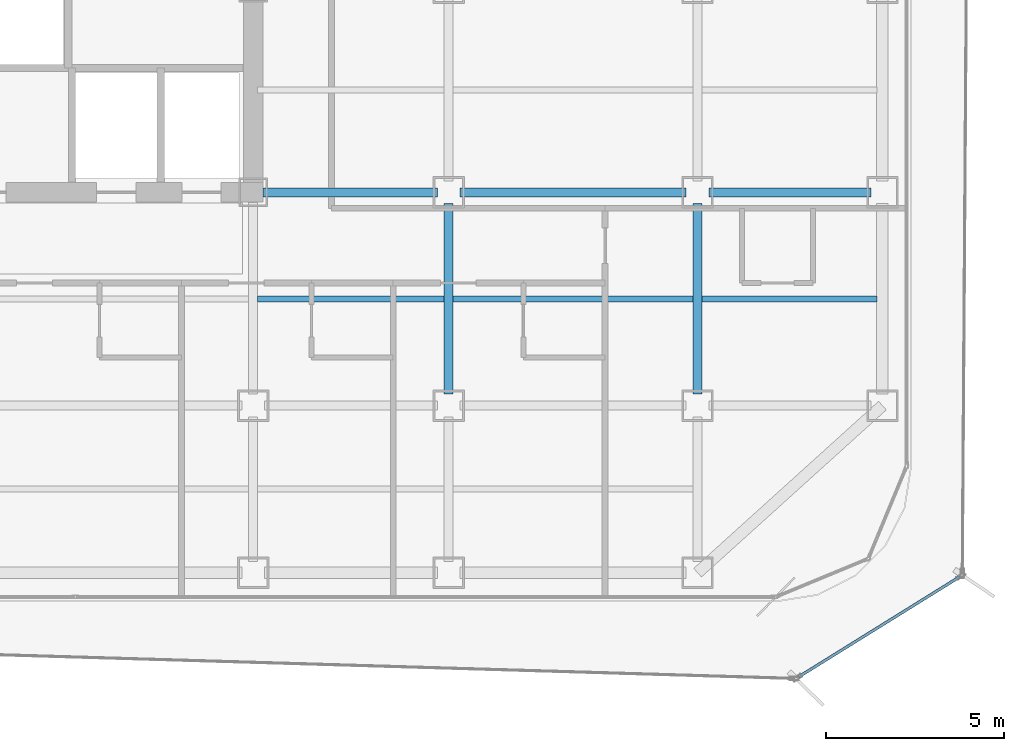
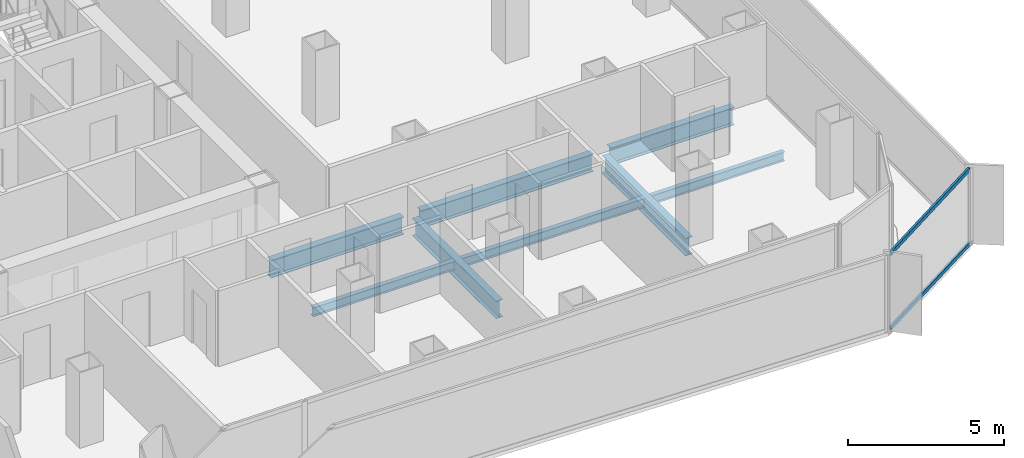
# One storey, part 7 of 21: 8 beams, 2 members, 1 element without a shape of its own.
"""IFC4 building model written with IfcOpenShell, lengths in metres."""

from ifc_helpers import new_model, si_unit, direction, frame, origin, origin_2d, place, context, subcontext, project, spatial, hollow_rectangle, i_section, extrude, source, transform, mapped, material, layer, layer_set, material_profile, profile_set, type_object, element, aggregate, save


model = new_model("IFC4")

# Units and contexts
model_context = context("Model", 3, precision=1e-05, world=origin(), true_north=direction((0.0, 1.0)))
body_context = subcontext(model_context, "Body", "Model", "MODEL_VIEW")
ifc_project = project(units=[si_unit("LENGTHUNIT", "METRE"), si_unit("AREAUNIT", "SQUARE_METRE"), si_unit("VOLUMEUNIT", "CUBIC_METRE"), si_unit("PLANEANGLEUNIT", "RADIAN"), si_unit("MASSUNIT", "GRAM", prefix="KILO")], contexts=[model_context])

# Site, building, storey
site_placement = place(None, origin())
site = spatial("IfcSite", under=ifc_project, at=site_placement, CompositionType="ELEMENT")
building_placement = place(site_placement, origin())
building = spatial("IfcBuilding", under=site, at=building_placement, Name="Kolveth Station Tower", CompositionType="ELEMENT")
storey_placement = place(building_placement, frame((0.0, 0.0, 115.10009765625)))
storey = spatial("IfcBuildingStorey", under=building, at=storey_placement, Name="L31", CompositionType="ELEMENT", Elevation=115.10009765625)

# Beams
ifc_material_1 = material(Name="Steel S355", Category="steel")
ifc_material_profile_1 = material_profile(ifc_material_1, i_section(OverallWidth=0.25390625, OverallDepth=0.68798828125, WebThickness=0.01318359375, FlangeThickness=0.02099609375, at=origin_2d()), Name="W690x152")
ifc_profile_set_1 = profile_set([ifc_material_profile_1], Name="Steel S355")
beam_type_1 = type_object("IfcBeamType", Name="Beam_B4", PredefinedType="BEAM", material=ifc_profile_set_1)
shared_shape_1 = source(origin(), body_context, "Body", "SweptSolid", [
    extrude(i_section(OverallWidth=0.25390625, OverallDepth=0.68798828125, WebThickness=0.01318359375, FlangeThickness=0.02099609375, at=origin_2d()), origin(), (0.0, 0.0, 1.0), 4.559814453125),
])
beam_1_placement = place(storey_placement, frame((41.320068359375, 11.5, -0.593994140625), z_axis=(1.0, 0.0, 0.0), x_axis=(0.0, 1.0, 0.0)))
element("IfcBeam", 1, at=beam_1_placement, inside=storey, type_object=beam_type_1, Name="L31 Primary Girder BM-L31-GY115-7", PredefinedType="BEAM", context=body_context, shape_type="MappedRepresentation", body=[
    mapped(shared_shape_1, transform((0.0, 0.0, 0.0), x_axis=(1.0, 0.0, 0.0), y_axis=(0.0, 1.0, 0.0), z_axis=(0.0, 0.0, 1.0), scale=1.0)),
])
shared_shape_2 = source(origin(), body_context, "Body", "SweptSolid", [
    extrude(i_section(OverallWidth=0.25390625, OverallDepth=0.68798828125, WebThickness=0.01318359375, FlangeThickness=0.02099609375, at=origin_2d()), origin(), (0.0, 0.0, 1.0), 6.35986328125),
])
beam_2_placement = place(storey_placement, frame((34.320068359375, 11.5, -0.593994140625), z_axis=(1.0, 0.0, 0.0), x_axis=(0.0, 1.0, 0.0)))
element("IfcBeam", 2, at=beam_2_placement, inside=storey, type_object=beam_type_1, Name="L31 Primary Girder BM-L31-GY115-6", PredefinedType="BEAM", context=body_context, shape_type="MappedRepresentation", body=[
    mapped(shared_shape_2, transform((0.0, 0.0, 0.0), x_axis=(1.0, 0.0, 0.0), y_axis=(0.0, 1.0, 0.0), z_axis=(0.0, 0.0, 1.0), scale=1.0)),
])
shared_shape_3 = source(origin(), body_context, "Body", "SweptSolid", [
    extrude(i_section(OverallWidth=0.25390625, OverallDepth=0.68798828125, WebThickness=0.01318359375, FlangeThickness=0.02099609375, at=origin_2d()), origin(), (0.0, 0.0, 1.0), 4.89990234375),
])
beam_3_placement = place(storey_placement, frame((28.780029296875, 11.5, -0.593994140625), z_axis=(1.0, 0.0, 0.0), x_axis=(0.0, 1.0, 0.0)))
element("IfcBeam", 3, at=beam_3_placement, inside=storey, type_object=beam_type_1, Name="L31 Primary Girder BM-L31-GY115-5", PredefinedType="BEAM", context=body_context, shape_type="MappedRepresentation", body=[
    mapped(shared_shape_3, transform((0.0, 0.0, 0.0), x_axis=(1.0, 0.0, 0.0), y_axis=(0.0, 1.0, 0.0), z_axis=(0.0, 0.0, 1.0), scale=1.0)),
])
shared_shape_4 = source(origin(), body_context, "Body", "SweptSolid", [
    extrude(i_section(OverallWidth=0.25390625, OverallDepth=0.68798828125, WebThickness=0.01318359375, FlangeThickness=0.02099609375, at=origin_2d()), origin(), (0.0, 0.0, 1.0), 5.35986328125),
])
for number, where, z_axis, x_axis, name in (
    (4, (34.0, 5.820068359375, -0.593994140625), (0.0, 1.0, 0.0), (-1.0, 0.0, 0.0), "L31 Primary Girder BM-L31-GX340-2"),
    (5, (41.0, 5.820068359375, -0.593994140625), (0.0, 1.0, 0.0), (-1.0, 0.0, 0.0), "L31 Primary Girder BM-L31-GX410-2"),
):
    element("IfcBeam", number, at=place(storey_placement, frame(where, z_axis=z_axis, x_axis=x_axis)), inside=storey, type_object=beam_type_1, Name=name, PredefinedType="BEAM", context=body_context, shape_type="MappedRepresentation", body=[
        mapped(shared_shape_4, transform((0.0, 0.0, 0.0), x_axis=(1.0, 0.0, 0.0), y_axis=(0.0, 1.0, 0.0), z_axis=(0.0, 0.0, 1.0), scale=1.0)),
    ])
ifc_material_profile_2 = material_profile(ifc_material_1, i_section(OverallWidth=0.1708984375, OverallDepth=0.35205078125, WebThickness=0.0068359375, FlangeThickness=0.009765625, at=origin_2d()), Name="W360x44")
ifc_profile_set_2 = profile_set([ifc_material_profile_2], Name="Steel S355")
beam_type_2 = type_object("IfcBeamType", Name="Beam_J2", PredefinedType="JOIST", material=ifc_profile_set_2)
shared_shape_5 = source(origin(), body_context, "Body", "SweptSolid", [
    extrude(i_section(OverallWidth=0.1708984375, OverallDepth=0.35205078125, WebThickness=0.0068359375, FlangeThickness=0.009765625, at=origin_2d()), origin(), (0.0, 0.0, 1.0), 4.9150390625),
])
beam_4_placement = place(storey_placement, frame((41.125, 8.5, -0.426025390625), z_axis=(1.0, 0.0, 0.0), x_axis=(0.0, 1.0, 0.0)))
element("IfcBeam", 6, at=beam_4_placement, inside=storey, type_object=beam_type_2, Name="L31 Secondary Joist JST-L31-7-2", PredefinedType="JOIST", context=body_context, shape_type="MappedRepresentation", body=[
    mapped(shared_shape_5, transform((0.0, 0.0, 0.0), x_axis=(1.0, 0.0, 0.0), y_axis=(0.0, 1.0, 0.0), z_axis=(0.0, 0.0, 1.0), scale=1.0)),
])
shared_shape_6 = source(origin(), body_context, "Body", "SweptSolid", [
    extrude(i_section(OverallWidth=0.1708984375, OverallDepth=0.35205078125, WebThickness=0.0068359375, FlangeThickness=0.009765625, at=origin_2d()), origin(), (0.0, 0.0, 1.0), 6.75),
])
beam_5_placement = place(storey_placement, frame((34.125, 8.5, -0.426025390625), z_axis=(1.0, 0.0, 0.0), x_axis=(0.0, 1.0, 0.0)))
element("IfcBeam", 7, at=beam_5_placement, inside=storey, type_object=beam_type_2, Name="L31 Secondary Joist JST-L31-6-2", PredefinedType="JOIST", context=body_context, shape_type="MappedRepresentation", body=[
    mapped(shared_shape_6, transform((0.0, 0.0, 0.0), x_axis=(1.0, 0.0, 0.0), y_axis=(0.0, 1.0, 0.0), z_axis=(0.0, 0.0, 1.0), scale=1.0)),
])
shared_shape_7 = source(origin(), body_context, "Body", "SweptSolid", [
    extrude(i_section(OverallWidth=0.1708984375, OverallDepth=0.35205078125, WebThickness=0.0068359375, FlangeThickness=0.009765625, at=origin_2d()), origin(), (0.0, 0.0, 1.0), 5.25),
])
beam_6_placement = place(storey_placement, frame((28.625, 8.5, -0.426025390625), z_axis=(1.0, 0.0, 0.0), x_axis=(0.0, 1.0, 0.0)))
element("IfcBeam", 8, at=beam_6_placement, inside=storey, type_object=beam_type_2, Name="L31 Secondary Joist JST-L31-5-2", PredefinedType="JOIST", context=body_context, shape_type="MappedRepresentation", body=[
    mapped(shared_shape_7, transform((0.0, 0.0, 0.0), x_axis=(1.0, 0.0, 0.0), y_axis=(0.0, 1.0, 0.0), z_axis=(0.0, 0.0, 1.0), scale=1.0)),
])

# Curtain wall, members
ifc_material_2 = material(Name="Black anodized aluminium 6063-T6 and dark solar glass", Category="aluminium")
ifc_layer = layer(ifc_material_2, 0.159912109375)
ifc_layer_set = layer_set([ifc_layer], Name="Black anodized aluminium 6063-T6 and dark solar glass")
curtain_wall_type = type_object("IfcCurtainWallType", Name="OUTER SKIN CW-OS", PredefinedType="NOTDEFINED", material=ifc_layer_set)
curtain_wall_placement = place(storey_placement, origin())
curtain_wall = element("IfcCurtainWall", 9, at=curtain_wall_placement, inside=storey, type_object=curtain_wall_type, Name="L31 Outer Ventilated Skin Curtain Wall 1", PredefinedType="NOTDEFINED")
ifc_material_3 = material(Name="Black anodized aluminium 6063-T6", Category="aluminium")
ifc_material_profile_3 = material_profile(ifc_material_3, hollow_rectangle(XDim=0.080078125, YDim=0.14990234375, WallThickness=0.0048828125, at=origin_2d()), Name="ALU-80x150x5")
ifc_profile_set_3 = profile_set([ifc_material_profile_3], Name="Black anodized aluminium 6063-T6")
member_type = type_object("IfcMemberType", Name="Transom_TR-OS", PredefinedType="USERDEFINED", material=ifc_profile_set_3)
shared_shape_8 = source(origin(), body_context, "Body", "SweptSolid", [
    extrude(hollow_rectangle(XDim=0.080078125, YDim=0.14990234375, WallThickness=0.0048828125, at=origin_2d()), origin(), (0.0, 0.0, 1.0), 5.33251953125),
])
member_1_placement = place(storey_placement, frame((43.843505859375, -2.130126953125, 0.039794921875), z_axis=(0.849407357762, 0.527737757394, 0.0), x_axis=(-0.527737757394, 0.849407357762, 0.0)))
member_1 = element("IfcMember", 10, at=member_1_placement, type_object=member_type, Name="CW-OS transom 1.1", ObjectType="TRANSOM", PredefinedType="USERDEFINED", context=body_context, shape_type="MappedRepresentation", body=[
    mapped(shared_shape_8, transform((0.0, 0.0, 0.0), x_axis=(1.0, 0.0, 0.0), y_axis=(0.0, 1.0, 0.0), z_axis=(0.0, 0.0, 1.0), scale=1.0)),
])
member_2_placement = place(storey_placement, frame((43.843505859375, -2.130126953125, 2.949951171875), z_axis=(0.849407357762, 0.527737757394, 0.0), x_axis=(-0.527737757394, 0.849407357762, 0.0)))
member_2 = element("IfcMember", 11, at=member_2_placement, type_object=member_type, Name="CW-OS transom 1.2", ObjectType="TRANSOM", PredefinedType="USERDEFINED", context=body_context, shape_type="MappedRepresentation", body=[
    mapped(shared_shape_8, transform((0.0, 0.0, 0.0), x_axis=(1.0, 0.0, 0.0), y_axis=(0.0, 1.0, 0.0), z_axis=(0.0, 0.0, 1.0), scale=1.0)),
])
aggregate(curtain_wall, [member_1, member_2])

save(model, "model.ifc")
